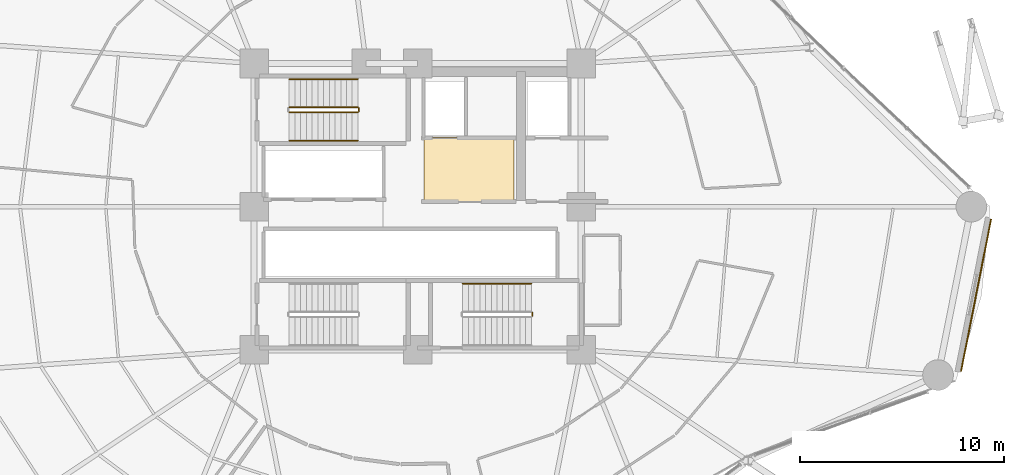
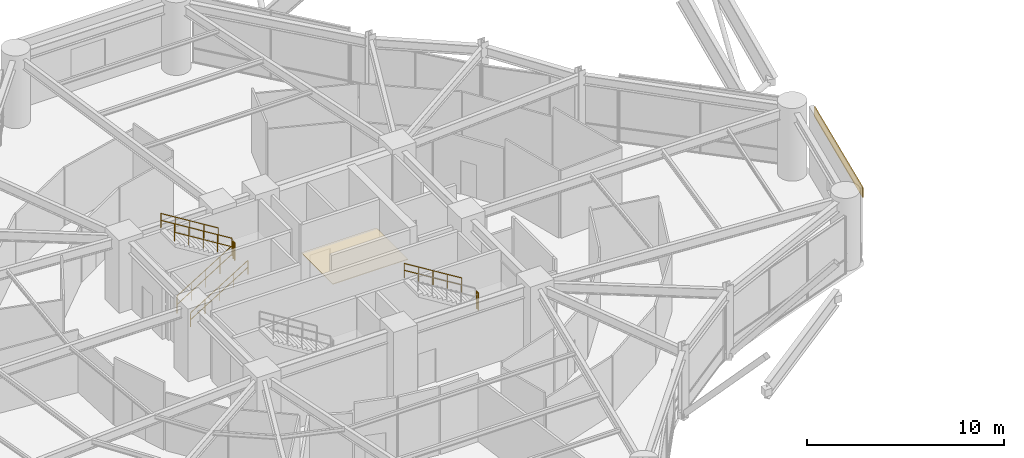
# One storey, part 53 of 55: 7 railings, 2 coverings.
"""IFC4 building model written with IfcOpenShell, lengths in metres."""

from ifc_helpers import new_model, si_unit, direction, frame, origin, origin_2d, place, context, subcontext, project, spatial, polyline, rectangle, outline, extrude, source, transform, mapped, material, layer, layer_set, type_object, element, save


model = new_model("IFC4")

# Units and contexts
model_context = context("Model", 3, precision=1e-05, world=origin(), true_north=direction((0.0, 1.0)))
body_context = subcontext(model_context, "Body", "Model", "MODEL_VIEW")
ifc_project = project(units=[si_unit("LENGTHUNIT", "METRE"), si_unit("AREAUNIT", "SQUARE_METRE"), si_unit("VOLUMEUNIT", "CUBIC_METRE"), si_unit("PLANEANGLEUNIT", "RADIAN"), si_unit("MASSUNIT", "GRAM", prefix="KILO")], contexts=[model_context])

# Site, building, storey
site_placement = place(None, origin())
site = spatial("IfcSite", under=ifc_project, at=site_placement, CompositionType="ELEMENT")
building_placement = place(site_placement, origin())
building = spatial("IfcBuilding", under=site, at=building_placement, Name="Kelanora Arch Commons", CompositionType="ELEMENT")
storey_placement = place(building_placement, frame((0.0, 0.0, 4.5)))
storey = spatial("IfcBuildingStorey", under=building, at=storey_placement, Name="L01", CompositionType="ELEMENT", Elevation=4.5)

# Railings
ifc_material_1 = material(Name="Painted steel stair well guard", Category="steel")
railing_type_1 = type_object("IfcRailingType", Name="RAIL-STAIR-GRD", PredefinedType="GUARDRAIL", material=ifc_material_1)
railing_1_placement = place(storey_placement, frame((67.719970703125, 62.610107421875, 0.173095703125)))
element("IfcRailing", 1, at=railing_1_placement, inside=storey, type_object=railing_type_1, Name="L01 ST-T1 stair guard 1", PredefinedType="GUARDRAIL", context=body_context, shape_type="SweptSolid", body=[
    extrude(outline(polyline([(0.02392578125, 0.0), (0.011962890625, 0.020751953125), (-0.011962890625, 0.020751953125), (-0.02392578125, 0.0), (-0.011962890625, -0.020751953125), (0.011962890625, -0.020751953125), (0.02392578125, 0.0)])), frame((0.0, 0.0, 1.076171875), z_axis=(0.850623216509, 0.0, 0.525775754039), x_axis=(0.0, 1.0, 0.0)), (0.0, 0.0, 1.0), 3.9501953125),
    extrude(outline(polyline([(0.02392578125, 0.0), (0.011962890625, 0.020751953125), (-0.011962890625, 0.020751953125), (-0.02392578125, 0.0), (-0.011962890625, -0.020751953125), (0.011962890625, -0.020751953125), (0.02392578125, 0.0)])), frame((0.0, 0.0, 0.550048828125), z_axis=(0.850623216509, 0.0, 0.525775754039), x_axis=(0.0, 1.0, 0.0)), (0.0, 0.0, 1.0), 3.9501953125),
    extrude(outline(polyline([(0.02099609375, 0.0), (0.010498046875, 0.01806640625), (-0.010498046875, 0.01806640625), (-0.02099609375, 0.0), (-0.010498046875, -0.01806640625), (0.010498046875, -0.01806640625), (0.02099609375, 0.0)])), origin(), (0.0, 0.0, 1.0), 1.052001953125),
    extrude(outline(polyline([(0.02099609375, 0.0), (0.010498046875, 0.01806640625), (-0.010498046875, 0.01806640625), (-0.02099609375, 0.0), (-0.010498046875, -0.01806640625), (0.010498046875, -0.01806640625), (0.02099609375, 0.0)])), frame((0.840087890625, 0.0, 0.519287109375)), (0.0, 0.0, 1.0), 1.052001953125),
    extrude(outline(polyline([(0.02099609375, 0.0), (0.010498046875, 0.01806640625), (-0.010498046875, 0.01806640625), (-0.02099609375, 0.0), (-0.010498046875, -0.01806640625), (0.010498046875, -0.01806640625), (0.02099609375, 0.0)])), frame((1.68017578125, 0.0, 1.03857421875)), (0.0, 0.0, 1.0), 1.052001953125),
    extrude(outline(polyline([(0.02099609375, 0.0), (0.010498046875, 0.01806640625), (-0.010498046875, 0.01806640625), (-0.02099609375, 0.0), (-0.010498046875, -0.01806640625), (0.010498046875, -0.01806640625), (0.02099609375, 0.0)])), frame((2.52001953125, 0.0, 1.5576171875)), (0.0, 0.0, 1.0), 1.052001953125),
    extrude(outline(polyline([(0.02099609375, 0.0), (0.010498046875, 0.01806640625), (-0.010498046875, 0.01806640625), (-0.02099609375, 0.0), (-0.010498046875, -0.01806640625), (0.010498046875, -0.01806640625), (0.02099609375, 0.0)])), frame((3.360107421875, 0.0, 2.076904296875)), (0.0, 0.0, 1.0), 1.052001953125),
])
railing_2_placement = place(storey_placement, frame((71.1298828125, 62.659912109375, 2.25)))
element("IfcRailing", 2, at=railing_2_placement, inside=storey, type_object=railing_type_1, Name="L01 ST-T1 stair guard 2", PredefinedType="GUARDRAIL", context=body_context, shape_type="SweptSolid", body=[
    extrude(outline(polyline([(0.02392578125, 0.0), (0.011962890625, 0.020751953125), (-0.011962890625, 0.020751953125), (-0.02392578125, 0.0), (-0.011962890625, -0.020751953125), (0.011962890625, -0.020751953125), (0.02392578125, 0.0)])), frame((0.0, 0.0, 1.076171875), z_axis=(0.0, 1.0, 0.0), x_axis=(-1.0, 0.0, 0.0)), (0.0, 0.0, 1.0), 0.150146484375),
    extrude(outline(polyline([(0.02392578125, 0.0), (0.011962890625, 0.020751953125), (-0.011962890625, 0.020751953125), (-0.02392578125, 0.0), (-0.011962890625, -0.020751953125), (0.011962890625, -0.020751953125), (0.02392578125, 0.0)])), frame((0.0, 0.0, 0.550048828125), z_axis=(0.0, 1.0, 0.0), x_axis=(-1.0, 0.0, 0.0)), (0.0, 0.0, 1.0), 0.150146484375),
    extrude(outline(polyline([(0.02099609375, 0.0), (0.010498046875, 0.01806640625), (-0.010498046875, 0.01806640625), (-0.02099609375, 0.0), (-0.010498046875, -0.01806640625), (0.010498046875, -0.01806640625), (0.02099609375, 0.0)])), origin(), (0.0, 0.0, 1.0), 1.052001953125),
    extrude(outline(polyline([(0.02099609375, 0.0), (0.010498046875, 0.01806640625), (-0.010498046875, 0.01806640625), (-0.02099609375, 0.0), (-0.010498046875, -0.01806640625), (0.010498046875, -0.01806640625), (0.02099609375, 0.0)])), frame((0.0, 0.150146484375, 0.0)), (0.0, 0.0, 1.0), 1.052001953125),
])
railing_3_placement = place(storey_placement, frame((71.080078125, 62.860107421875, 2.423095703125)))
element("IfcRailing", 3, at=railing_3_placement, inside=storey, type_object=railing_type_1, Name="L01 ST-T1 stair guard 3", PredefinedType="GUARDRAIL", context=body_context, shape_type="SweptSolid", body=[
    extrude(outline(polyline([(0.02392578125, 0.0), (0.011962890625, 0.020751953125), (-0.011962890625, 0.020751953125), (-0.02392578125, 0.0), (-0.011962890625, -0.020751953125), (0.011962890625, -0.020751953125), (0.02392578125, 0.0)])), frame((0.0, 0.0, 1.076171875), z_axis=(-0.850623216509, 0.0, 0.525775754039), x_axis=(0.0, -1.0, 0.0)), (0.0, 0.0, 1.0), 3.9501953125),
    extrude(outline(polyline([(0.02392578125, 0.0), (0.011962890625, 0.020751953125), (-0.011962890625, 0.020751953125), (-0.02392578125, 0.0), (-0.011962890625, -0.020751953125), (0.011962890625, -0.020751953125), (0.02392578125, 0.0)])), frame((0.0, 0.0, 0.550048828125), z_axis=(-0.850623216509, 0.0, 0.525775754039), x_axis=(0.0, -1.0, 0.0)), (0.0, 0.0, 1.0), 3.9501953125),
    extrude(outline(polyline([(0.02099609375, 0.0), (0.010498046875, 0.01806640625), (-0.010498046875, 0.01806640625), (-0.02099609375, 0.0), (-0.010498046875, -0.01806640625), (0.010498046875, -0.01806640625), (0.02099609375, 0.0)])), origin(), (0.0, 0.0, 1.0), 1.052001953125),
    extrude(outline(polyline([(0.02099609375, 0.0), (0.010498046875, 0.01806640625), (-0.010498046875, 0.01806640625), (-0.02099609375, 0.0), (-0.010498046875, -0.01806640625), (0.010498046875, -0.01806640625), (0.02099609375, 0.0)])), frame((-0.840087890625, 0.0, 0.519287109375)), (0.0, 0.0, 1.0), 1.052001953125),
    extrude(outline(polyline([(0.02099609375, 0.0), (0.010498046875, 0.01806640625), (-0.010498046875, 0.01806640625), (-0.02099609375, 0.0), (-0.010498046875, -0.01806640625), (0.010498046875, -0.01806640625), (0.02099609375, 0.0)])), frame((-1.68017578125, 0.0, 1.03857421875)), (0.0, 0.0, 1.0), 1.052001953125),
    extrude(outline(polyline([(0.02099609375, 0.0), (0.010498046875, 0.01806640625), (-0.010498046875, 0.01806640625), (-0.02099609375, 0.0), (-0.010498046875, -0.01806640625), (0.010498046875, -0.01806640625), (0.02099609375, 0.0)])), frame((-2.52001953125, 0.0, 1.5576171875)), (0.0, 0.0, 1.0), 1.052001953125),
    extrude(outline(polyline([(0.02099609375, 0.0), (0.010498046875, 0.01806640625), (-0.010498046875, 0.01806640625), (-0.02099609375, 0.0), (-0.010498046875, -0.01806640625), (0.010498046875, -0.01806640625), (0.02099609375, 0.0)])), frame((-3.360107421875, 0.0, 2.076904296875)), (0.0, 0.0, 1.0), 1.052001953125),
])
railing_4_placement = place(storey_placement, frame((79.610107421875, 52.659912109375, 2.25)))
element("IfcRailing", 4, at=railing_4_placement, inside=storey, type_object=railing_type_1, Name="L01 ST-T2 stair guard 2", PredefinedType="GUARDRAIL", context=body_context, shape_type="SweptSolid", body=[
    extrude(outline(polyline([(0.02392578125, 0.0), (0.011962890625, 0.020751953125), (-0.011962890625, 0.020751953125), (-0.02392578125, 0.0), (-0.011962890625, -0.020751953125), (0.011962890625, -0.020751953125), (0.02392578125, 0.0)])), frame((0.0, 0.0, 1.076171875), z_axis=(0.0, 1.0, 0.0), x_axis=(-1.0, 0.0, 0.0)), (0.0, 0.0, 1.0), 0.150146484375),
    extrude(outline(polyline([(0.02392578125, 0.0), (0.011962890625, 0.020751953125), (-0.011962890625, 0.020751953125), (-0.02392578125, 0.0), (-0.011962890625, -0.020751953125), (0.011962890625, -0.020751953125), (0.02392578125, 0.0)])), frame((0.0, 0.0, 0.550048828125), z_axis=(0.0, 1.0, 0.0), x_axis=(-1.0, 0.0, 0.0)), (0.0, 0.0, 1.0), 0.150146484375),
    extrude(outline(polyline([(0.02099609375, 0.0), (0.010498046875, 0.01806640625), (-0.010498046875, 0.01806640625), (-0.02099609375, 0.0), (-0.010498046875, -0.01806640625), (0.010498046875, -0.01806640625), (0.02099609375, 0.0)])), origin(), (0.0, 0.0, 1.0), 1.052001953125),
    extrude(outline(polyline([(0.02099609375, 0.0), (0.010498046875, 0.01806640625), (-0.010498046875, 0.01806640625), (-0.02099609375, 0.0), (-0.010498046875, -0.01806640625), (0.010498046875, -0.01806640625), (0.02099609375, 0.0)])), frame((0.0, 0.150146484375, 0.0)), (0.0, 0.0, 1.0), 1.052001953125),
])
ifc_material_2 = material(Name="Brushed stainless steel stair handrail", Category="steel")
railing_type_2 = type_object("IfcRailingType", Name="RAIL-STAIR-HND", PredefinedType="HANDRAIL", material=ifc_material_2)
railing_5_placement = place(storey_placement, frame((67.719970703125, 61.22998046875, 0.173095703125)))
element("IfcRailing", 5, at=railing_5_placement, inside=storey, type_object=railing_type_2, Name="L01 ST-T1 stair handrail 1", PredefinedType="HANDRAIL", context=body_context, shape_type="SweptSolid", body=[
    extrude(outline(polyline([(0.02392578125, 0.0), (0.011962890625, 0.020751953125), (-0.011962890625, 0.020751953125), (-0.02392578125, 0.0), (-0.011962890625, -0.020751953125), (0.011962890625, -0.020751953125), (0.02392578125, 0.0)])), frame((0.0, 0.0, 0.8759765625), z_axis=(0.850623216509, 0.0, 0.525775754039), x_axis=(0.0, 1.0, 0.0)), (0.0, 0.0, 1.0), 3.9501953125),
    extrude(outline(polyline([(0.02392578125, 0.0), (0.011962890625, 0.020751953125), (-0.011962890625, 0.020751953125), (-0.02392578125, 0.0), (-0.011962890625, -0.020751953125), (0.011962890625, -0.020751953125), (0.02392578125, 0.0)])), frame((0.0, 0.0, 0.449951171875), z_axis=(0.850623216509, 0.0, 0.525775754039), x_axis=(0.0, 1.0, 0.0)), (0.0, 0.0, 1.0), 3.9501953125),
    extrude(outline(polyline([(0.02099609375, 0.0), (0.010498046875, 0.01806640625), (-0.010498046875, 0.01806640625), (-0.02099609375, 0.0), (-0.010498046875, -0.01806640625), (0.010498046875, -0.01806640625), (0.02099609375, 0.0)])), origin(), (0.0, 0.0, 1.0), 0.851806640625),
    extrude(outline(polyline([(0.02099609375, 0.0), (0.010498046875, 0.01806640625), (-0.010498046875, 0.01806640625), (-0.02099609375, 0.0), (-0.010498046875, -0.01806640625), (0.010498046875, -0.01806640625), (0.02099609375, 0.0)])), frame((0.840087890625, 0.0, 0.519287109375)), (0.0, 0.0, 1.0), 0.851806640625),
    extrude(outline(polyline([(0.02099609375, 0.0), (0.010498046875, 0.01806640625), (-0.010498046875, 0.01806640625), (-0.02099609375, 0.0), (-0.010498046875, -0.01806640625), (0.010498046875, -0.01806640625), (0.02099609375, 0.0)])), frame((1.68017578125, 0.0, 1.03857421875)), (0.0, 0.0, 1.0), 0.851806640625),
    extrude(outline(polyline([(0.02099609375, 0.0), (0.010498046875, 0.01806640625), (-0.010498046875, 0.01806640625), (-0.02099609375, 0.0), (-0.010498046875, -0.01806640625), (0.010498046875, -0.01806640625), (0.02099609375, 0.0)])), frame((2.52001953125, 0.0, 1.5576171875)), (0.0, 0.0, 1.0), 0.851806640625),
    extrude(outline(polyline([(0.02099609375, 0.0), (0.010498046875, 0.01806640625), (-0.010498046875, 0.01806640625), (-0.02099609375, 0.0), (-0.010498046875, -0.01806640625), (0.010498046875, -0.01806640625), (0.02099609375, 0.0)])), frame((3.360107421875, 0.0, 2.076904296875)), (0.0, 0.0, 1.0), 0.851806640625),
])
railing_6_placement = place(storey_placement, frame((71.080078125, 64.239990234375, 2.423095703125)))
element("IfcRailing", 6, at=railing_6_placement, inside=storey, type_object=railing_type_2, Name="L01 ST-T1 stair handrail 2", PredefinedType="HANDRAIL", context=body_context, shape_type="SweptSolid", body=[
    extrude(outline(polyline([(0.02392578125, 0.0), (0.011962890625, 0.020751953125), (-0.011962890625, 0.020751953125), (-0.02392578125, 0.0), (-0.011962890625, -0.020751953125), (0.011962890625, -0.020751953125), (0.02392578125, 0.0)])), frame((0.0, 0.0, 0.8759765625), z_axis=(-0.850623216509, 0.0, 0.525775754039), x_axis=(0.0, -1.0, 0.0)), (0.0, 0.0, 1.0), 3.9501953125),
    extrude(outline(polyline([(0.02392578125, 0.0), (0.011962890625, 0.020751953125), (-0.011962890625, 0.020751953125), (-0.02392578125, 0.0), (-0.011962890625, -0.020751953125), (0.011962890625, -0.020751953125), (0.02392578125, 0.0)])), frame((0.0, 0.0, 0.449951171875), z_axis=(-0.850623216509, 0.0, 0.525775754039), x_axis=(0.0, -1.0, 0.0)), (0.0, 0.0, 1.0), 3.9501953125),
    extrude(outline(polyline([(0.02099609375, 0.0), (0.010498046875, 0.01806640625), (-0.010498046875, 0.01806640625), (-0.02099609375, 0.0), (-0.010498046875, -0.01806640625), (0.010498046875, -0.01806640625), (0.02099609375, 0.0)])), origin(), (0.0, 0.0, 1.0), 0.851806640625),
    extrude(outline(polyline([(0.02099609375, 0.0), (0.010498046875, 0.01806640625), (-0.010498046875, 0.01806640625), (-0.02099609375, 0.0), (-0.010498046875, -0.01806640625), (0.010498046875, -0.01806640625), (0.02099609375, 0.0)])), frame((-0.840087890625, 0.0, 0.519287109375)), (0.0, 0.0, 1.0), 0.851806640625),
    extrude(outline(polyline([(0.02099609375, 0.0), (0.010498046875, 0.01806640625), (-0.010498046875, 0.01806640625), (-0.02099609375, 0.0), (-0.010498046875, -0.01806640625), (0.010498046875, -0.01806640625), (0.02099609375, 0.0)])), frame((-1.68017578125, 0.0, 1.03857421875)), (0.0, 0.0, 1.0), 0.851806640625),
    extrude(outline(polyline([(0.02099609375, 0.0), (0.010498046875, 0.01806640625), (-0.010498046875, 0.01806640625), (-0.02099609375, 0.0), (-0.010498046875, -0.01806640625), (0.010498046875, -0.01806640625), (0.02099609375, 0.0)])), frame((-2.52001953125, 0.0, 1.5576171875)), (0.0, 0.0, 1.0), 0.851806640625),
    extrude(outline(polyline([(0.02099609375, 0.0), (0.010498046875, 0.01806640625), (-0.010498046875, 0.01806640625), (-0.02099609375, 0.0), (-0.010498046875, -0.01806640625), (0.010498046875, -0.01806640625), (0.02099609375, 0.0)])), frame((-3.360107421875, 0.0, 2.076904296875)), (0.0, 0.0, 1.0), 0.851806640625),
])
railing_7_placement = place(storey_placement, frame((79.56005859375, 54.239990234375, 2.423095703125)))
element("IfcRailing", 7, at=railing_7_placement, inside=storey, type_object=railing_type_2, Name="L01 ST-T2 stair handrail 2", PredefinedType="HANDRAIL", context=body_context, shape_type="SweptSolid", body=[
    extrude(outline(polyline([(0.02392578125, 0.0), (0.011962890625, 0.020751953125), (-0.011962890625, 0.020751953125), (-0.02392578125, 0.0), (-0.011962890625, -0.020751953125), (0.011962890625, -0.020751953125), (0.02392578125, 0.0)])), frame((0.0, 0.0, 0.8759765625), z_axis=(-0.850623216509, 0.0, 0.525775754039), x_axis=(0.0, -1.0, 0.0)), (0.0, 0.0, 1.0), 3.9501953125),
    extrude(outline(polyline([(0.02392578125, 0.0), (0.011962890625, 0.020751953125), (-0.011962890625, 0.020751953125), (-0.02392578125, 0.0), (-0.011962890625, -0.020751953125), (0.011962890625, -0.020751953125), (0.02392578125, 0.0)])), frame((0.0, 0.0, 0.449951171875), z_axis=(-0.850623216509, 0.0, 0.525775754039), x_axis=(0.0, -1.0, 0.0)), (0.0, 0.0, 1.0), 3.9501953125),
    extrude(outline(polyline([(0.02099609375, 0.0), (0.010498046875, 0.01806640625), (-0.010498046875, 0.01806640625), (-0.02099609375, 0.0), (-0.010498046875, -0.01806640625), (0.010498046875, -0.01806640625), (0.02099609375, 0.0)])), origin(), (0.0, 0.0, 1.0), 0.851806640625),
    extrude(outline(polyline([(0.02099609375, 0.0), (0.010498046875, 0.01806640625), (-0.010498046875, 0.01806640625), (-0.02099609375, 0.0), (-0.010498046875, -0.01806640625), (0.010498046875, -0.01806640625), (0.02099609375, 0.0)])), frame((-0.840087890625, 0.0, 0.519287109375)), (0.0, 0.0, 1.0), 0.851806640625),
    extrude(outline(polyline([(0.02099609375, 0.0), (0.010498046875, 0.01806640625), (-0.010498046875, 0.01806640625), (-0.02099609375, 0.0), (-0.010498046875, -0.01806640625), (0.010498046875, -0.01806640625), (0.02099609375, 0.0)])), frame((-1.68017578125, 0.0, 1.03857421875)), (0.0, 0.0, 1.0), 0.851806640625),
    extrude(outline(polyline([(0.02099609375, 0.0), (0.010498046875, 0.01806640625), (-0.010498046875, 0.01806640625), (-0.02099609375, 0.0), (-0.010498046875, -0.01806640625), (0.010498046875, -0.01806640625), (0.02099609375, 0.0)])), frame((-2.52001953125, 0.0, 1.5576171875)), (0.0, 0.0, 1.0), 0.851806640625),
    extrude(outline(polyline([(0.02099609375, 0.0), (0.010498046875, 0.01806640625), (-0.010498046875, 0.01806640625), (-0.02099609375, 0.0), (-0.010498046875, -0.01806640625), (0.010498046875, -0.01806640625), (0.02099609375, 0.0)])), frame((-3.360107421875, 0.0, 2.076904296875)), (0.0, 0.0, 1.0), 0.851806640625),
])

# Coverings
ifc_material_3 = material(Name="Glazed architectural terracotta spandrel cladding", Category="masonry")
ifc_layer_1 = layer(ifc_material_3, 0.06005859375)
ifc_layer_set_1 = layer_set([ifc_layer_1], Name="Glazed architectural terracotta spandrel cladding")
covering_type_1 = type_object("IfcCoveringType", Name="COV-CLAD-TC", PredefinedType="CLADDING", material=ifc_layer_set_1)
shared_shape_1 = source(origin(), body_context, "Body", "SweptSolid", [
    extrude(rectangle(XDim=7.58251953125, YDim=0.06005859375, at=origin_2d()), origin(), (0.0, 0.0, 1.0), 0.60009765625),
])
covering_1_placement = place(storey_placement, frame((101.305419921875, 53.66748046875, 3.534912109375), z_axis=(0.0, 0.0, 1.0), x_axis=(0.19374368704, 0.981052181962, 0.0)))
element("IfcCovering", 8, at=covering_1_placement, inside=storey, type_object=covering_type_1, Name="Terracotta Spandrel Cladding L01-B17", PredefinedType="CLADDING", context=body_context, shape_type="MappedRepresentation", body=[
    mapped(shared_shape_1, transform((0.0, 0.0, 0.0), scale=1.0)),
])
ifc_material_4 = material(Name="Perforated acoustic mineral-fibre ceiling")
ifc_layer_2 = layer(ifc_material_4, 0.0400390625)
ifc_layer_set_2 = layer_set([ifc_layer_2], Name="Perforated acoustic mineral-fibre ceiling")
covering_type_2 = type_object("IfcCoveringType", Name="COV-CEIL-AC", PredefinedType="CEILING", material=ifc_layer_set_2)
shared_shape_2 = source(origin(), body_context, "Body", "SweptSolid", [
    extrude(rectangle(XDim=4.39990234375, YDim=3.199951171875, at=origin_2d()), origin(), (0.0, 0.0, 1.0), 0.0400390625),
])
covering_2_placement = place(storey_placement, frame((76.5, 59.800048828125, 2.330078125), z_axis=(0.0, 0.0, 1.0), x_axis=(1.0, 0.0, 0.0)))
element("IfcCovering", 9, at=covering_2_placement, inside=storey, type_object=covering_type_2, Name="Firefighting Lobby Acoustic Ceiling L01", PredefinedType="CEILING", context=body_context, shape_type="MappedRepresentation", body=[
    mapped(shared_shape_2, transform((0.0, 0.0, 0.0), scale=1.0)),
])

save(model, "model.ifc")
